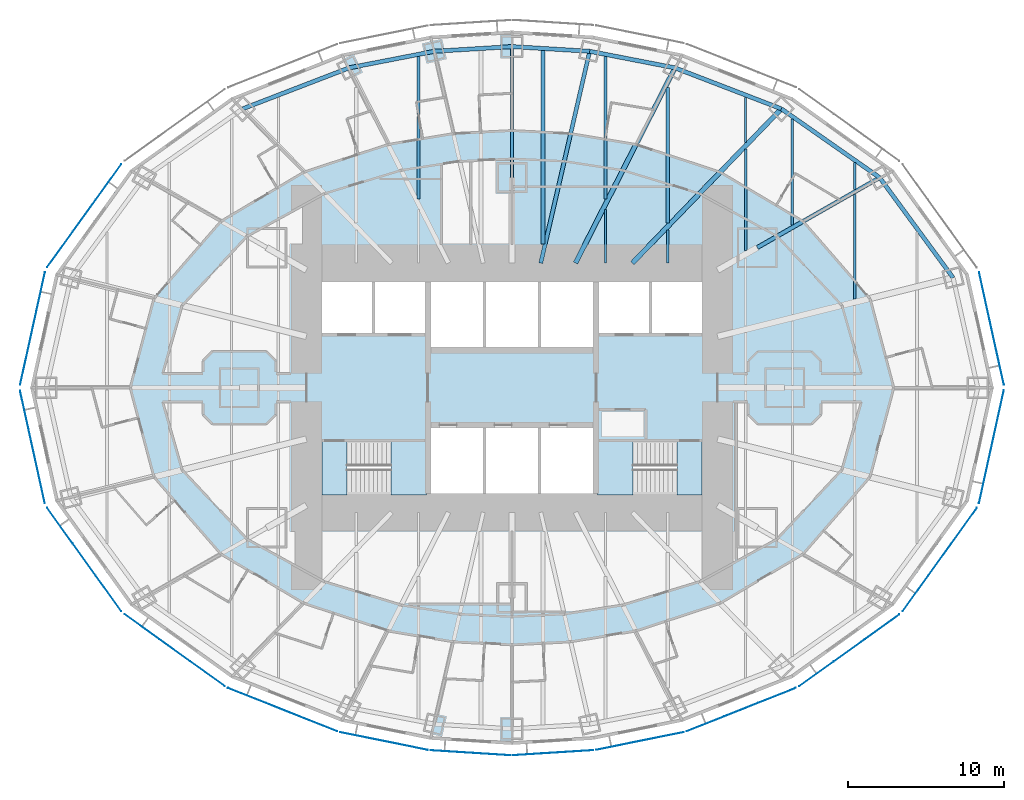
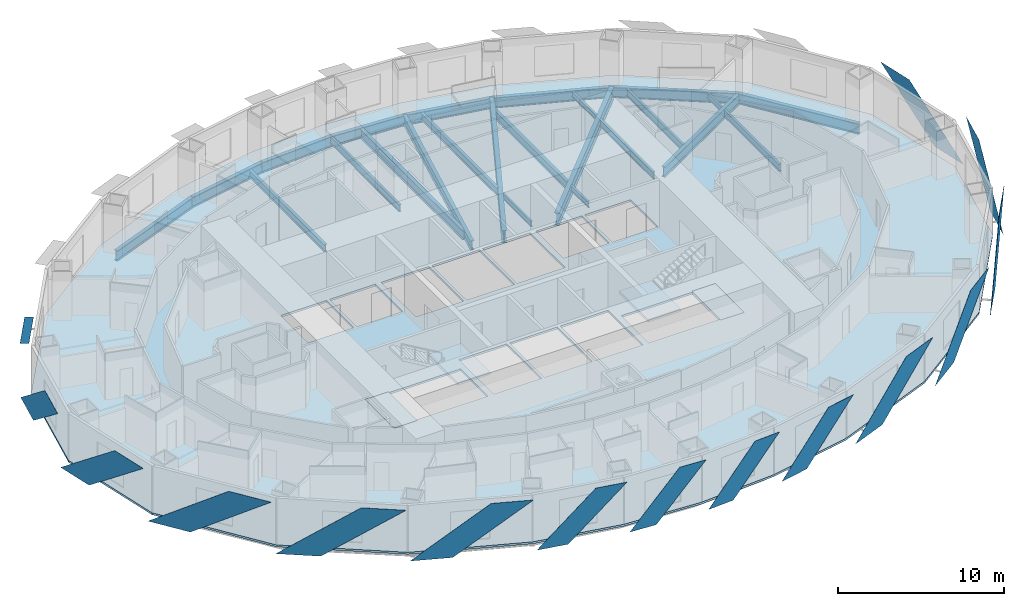
# One storey, part 3 of 15: 24 beams, 15 plates, 5 slabs, 2 elements without a shape of their own.
"""IFC4 building model written with IfcOpenShell, lengths in metres."""

from ifc_helpers import new_model, si_unit, direction, frame, origin, origin_2d, place, context, subcontext, project, spatial, polyline, i_section, outline, extrude, material, layer, layer_set, material_profile, profile_set, type_object, element, aggregate, save


model = new_model("IFC4")

# Units and contexts
model_context = context("Model", 3, precision=1e-05, world=origin(), true_north=direction((0.0, 1.0)))
body_context = subcontext(model_context, "Body", "Model", "MODEL_VIEW")
ifc_project = project(units=[si_unit("LENGTHUNIT", "METRE"), si_unit("AREAUNIT", "SQUARE_METRE"), si_unit("VOLUMEUNIT", "CUBIC_METRE"), si_unit("PLANEANGLEUNIT", "RADIAN"), si_unit("MASSUNIT", "GRAM", prefix="KILO")], contexts=[model_context])

# Site, building, storey
site_placement = place(None, origin())
site = spatial("IfcSite", under=ifc_project, at=site_placement, CompositionType="ELEMENT")
building_placement = place(site_placement, origin())
building = spatial("IfcBuilding", under=site, at=building_placement, Name="Lantaw Convention Tower", CompositionType="ELEMENT")
storey_placement = place(building_placement, frame((0.0, 0.0, 58.60009765625)))
storey = spatial("IfcBuildingStorey", under=building, at=storey_placement, Name="L12", CompositionType="ELEMENT", Elevation=58.60009765625)

# Beams
ifc_material_1 = material(Name="Steel ASTM A992", Category="steel")
ifc_material_profile_1 = material_profile(ifc_material_1, i_section(OverallWidth=0.2666015625, OverallDepth=0.76953125, WebThickness=0.015625, FlangeThickness=0.025390625, FilletRadius=0.0126953125, at=origin_2d()), Name="W30X132")
ifc_profile_set_1 = profile_set([ifc_material_profile_1], Name="Steel ASTM A992")
beam_type_1 = type_object("IfcBeamType", Name="Beam E W30X132", PredefinedType="SPANDREL", material=ifc_profile_set_1)
beam_1_placement = place(storey_placement, frame((28.31787109375, 7.060302734375, -0.534912109375), z_axis=(-0.591270709086, 0.806473154281, 0.0), x_axis=(-0.806473154281, -0.591270709086, 0.0)))
element("IfcBeam", 1, at=beam_1_placement, inside=storey, type_object=beam_type_1, Name="Edge beam 2", PredefinedType="SPANDREL", context=body_context, shape_type="SweptSolid", body=[
    extrude(i_section(OverallWidth=0.2666015625, OverallDepth=0.76953125, WebThickness=0.015625, FlangeThickness=0.025390625, FilletRadius=0.0126953125, at=origin_2d()), origin(), (0.0, 0.0, 1.0), 7.970703125),
])
beam_2_placement = place(storey_placement, frame((23.60498046875, 13.488525390625, -0.534912109375), z_axis=(-0.81942686407, 0.57318375277, 0.0), x_axis=(-0.57318375277, -0.81942686407, 0.0)))
element("IfcBeam", 2, at=beam_2_placement, inside=storey, type_object=beam_type_1, Name="Edge beam 3", PredefinedType="SPANDREL", context=body_context, shape_type="SweptSolid", body=[
    extrude(i_section(OverallWidth=0.2666015625, OverallDepth=0.76953125, WebThickness=0.015625, FlangeThickness=0.025390625, FilletRadius=0.0126953125, at=origin_2d()), origin(), (0.0, 0.0, 1.0), 7.70556640625),
])
beam_3_placement = place(storey_placement, frame((17.290771484375, 17.9052734375, -0.534912109375), z_axis=(-0.933232900641, 0.359271976588, 0.0), x_axis=(-0.359271976588, -0.933232900641, 0.0)))
element("IfcBeam", 3, at=beam_3_placement, inside=storey, type_object=beam_type_1, Name="Edge beam 4", PredefinedType="SPANDREL", context=body_context, shape_type="SweptSolid", body=[
    extrude(i_section(OverallWidth=0.2666015625, OverallDepth=0.76953125, WebThickness=0.015625, FlangeThickness=0.025390625, FilletRadius=0.0126953125, at=origin_2d()), origin(), (0.0, 0.0, 1.0), 7.316650390625),
])
beam_4_placement = place(storey_placement, frame((10.462646484375, 20.533935546875, -0.534912109375), z_axis=(-0.981636565323, 0.190760723474, 0.0), x_axis=(-0.190760723474, -0.981636565323, 0.0)))
element("IfcBeam", 4, at=beam_4_placement, inside=storey, type_object=beam_type_1, Name="Edge beam 5", PredefinedType="SPANDREL", context=body_context, shape_type="SweptSolid", body=[
    extrude(i_section(OverallWidth=0.2666015625, OverallDepth=0.76953125, WebThickness=0.015625, FlangeThickness=0.025390625, FilletRadius=0.0126953125, at=origin_2d()), origin(), (0.0, 0.0, 1.0), 5.578857421875),
])
for number, where, z_axis, x_axis, name in (
    (5, (4.986328125, 21.59814453125, -0.534912109375), (-0.998173858406, 0.060406526096, 0.0), (-0.060406526096, -0.998173858406, 0.0), "Edge beam 6"),
    (6, (0.0, 21.89990234375, -0.534912109375), (-0.998173858406, -0.060406526096, 0.0), (0.060406526096, -0.998173858406, 0.0), "Edge beam 7"),
):
    element("IfcBeam", number, at=place(storey_placement, frame(where, z_axis=z_axis, x_axis=x_axis)), inside=storey, type_object=beam_type_1, Name=name, PredefinedType="SPANDREL", context=body_context, shape_type="SweptSolid", body=[
        extrude(i_section(OverallWidth=0.2666015625, OverallDepth=0.76953125, WebThickness=0.015625, FlangeThickness=0.025390625, FilletRadius=0.0126953125, at=origin_2d()), origin(), (0.0, 0.0, 1.0), 4.995361328125),
    ])
beam_5_placement = place(storey_placement, frame((-4.986328125, 21.59814453125, -0.534912109375), z_axis=(-0.981636565323, -0.190760723474, 0.0), x_axis=(0.190760723474, -0.981636565323, 0.0)))
element("IfcBeam", 7, at=beam_5_placement, inside=storey, type_object=beam_type_1, Name="Edge beam 8", PredefinedType="SPANDREL", context=body_context, shape_type="SweptSolid", body=[
    extrude(i_section(OverallWidth=0.2666015625, OverallDepth=0.76953125, WebThickness=0.015625, FlangeThickness=0.025390625, FilletRadius=0.0126953125, at=origin_2d()), origin(), (0.0, 0.0, 1.0), 5.578857421875),
])
beam_6_placement = place(storey_placement, frame((-10.462646484375, 20.533935546875, -0.534912109375), z_axis=(-0.933232900641, -0.359271976588, 0.0), x_axis=(0.359271976588, -0.933232900641, 0.0)))
element("IfcBeam", 8, at=beam_6_placement, inside=storey, type_object=beam_type_1, Name="Edge beam 9", PredefinedType="SPANDREL", context=body_context, shape_type="SweptSolid", body=[
    extrude(i_section(OverallWidth=0.2666015625, OverallDepth=0.76953125, WebThickness=0.015625, FlangeThickness=0.025390625, FilletRadius=0.0126953125, at=origin_2d()), origin(), (0.0, 0.0, 1.0), 7.316650390625),
])
ifc_material_profile_2 = material_profile(ifc_material_1, i_section(OverallWidth=0.1650390625, OverallDepth=0.52587890625, WebThickness=0.0087890625, FlangeThickness=0.011474609375, FilletRadius=0.0126953125, at=origin_2d()), Name="W21X44")
ifc_profile_set_2 = profile_set([ifc_material_profile_2], Name="Steel ASTM A992")
beam_type_2 = type_object("IfcBeamType", Name="Beam G W21X44", PredefinedType="BEAM", material=ifc_profile_set_2)
beam_7_placement = place(storey_placement, frame((0.0, 13.5, -0.4130859375), z_axis=(0.0, 1.0, 0.0), x_axis=(-1.0, 0.0, 0.0)))
element("IfcBeam", 9, at=beam_7_placement, inside=storey, type_object=beam_type_2, Name="Floor girder on ray 7", PredefinedType="BEAM", context=body_context, shape_type="SweptSolid", body=[
    extrude(i_section(OverallWidth=0.1650390625, OverallDepth=0.52587890625, WebThickness=0.0087890625, FlangeThickness=0.011474609375, FilletRadius=0.0126953125, at=origin_2d()), origin(), (0.0, 0.0, 1.0), 8.39990234375),
])
ifc_material_profile_3 = material_profile(ifc_material_1, i_section(OverallWidth=0.25390625, OverallDepth=0.683349609375, WebThickness=0.012451171875, FlangeThickness=0.01904296875, FilletRadius=0.01513671875, at=origin_2d()), Name="W27X94")
ifc_profile_set_3 = profile_set([ifc_material_profile_3], Name="Steel ASTM A992")
beam_type_3 = type_object("IfcBeamType", Name="Beam G W27X94", PredefinedType="BEAM", material=ifc_profile_set_3)
beam_8_placement = place(storey_placement, frame((1.846923828125, 8.0, -0.49169921875), z_axis=(0.224952773175, 0.97436966796, 0.0), x_axis=(-0.97436966796, 0.224952773175, 0.0)))
element("IfcBeam", 10, at=beam_8_placement, inside=storey, type_object=beam_type_3, Name="Floor girder on ray 6", PredefinedType="BEAM", context=body_context, shape_type="SweptSolid", body=[
    extrude(i_section(OverallWidth=0.25390625, OverallDepth=0.683349609375, WebThickness=0.012451171875, FlangeThickness=0.01904296875, FilletRadius=0.01513671875, at=origin_2d()), origin(), (0.0, 0.0, 1.0), 13.955810546875),
])
ifc_material_profile_4 = material_profile(ifc_material_1, i_section(OverallWidth=0.2666015625, OverallDepth=0.7568359375, WebThickness=0.013916015625, FlangeThickness=0.019287109375, FilletRadius=0.0126953125, at=origin_2d()), Name="W30X108")
ifc_profile_set_4 = profile_set([ifc_material_profile_4], Name="Steel ASTM A992")
beam_type_4 = type_object("IfcBeamType", Name="Beam G W30X108", PredefinedType="BEAM", material=ifc_profile_set_4)
beam_9_placement = place(storey_placement, frame((15.75, 9.0, -0.528564453125), z_axis=(0.868244802791, 0.496136032179, 0.0), x_axis=(-0.496136032179, 0.868244802791, 0.0)))
element("IfcBeam", 11, at=beam_9_placement, inside=storey, type_object=beam_type_4, Name="Floor girder on ray 3", PredefinedType="BEAM", context=body_context, shape_type="SweptSolid", body=[
    extrude(i_section(OverallWidth=0.2666015625, OverallDepth=0.7568359375, WebThickness=0.013916015625, FlangeThickness=0.019287109375, FilletRadius=0.0126953125, at=origin_2d()), origin(), (0.0, 0.0, 1.0), 9.046875),
])
ifc_material_profile_5 = material_profile(ifc_material_1, i_section(OverallWidth=0.307373046875, OverallDepth=0.922119140625, WebThickness=0.018310546875, FlangeThickness=0.030029296875, FilletRadius=0.0126953125, at=origin_2d()), Name="W36X182")
ifc_profile_set_5 = profile_set([ifc_material_profile_5], Name="Steel ASTM A992")
beam_type_5 = type_object("IfcBeamType", Name="Beam G W36X182", PredefinedType="BEAM", material=ifc_profile_set_5)
beam_10_placement = place(storey_placement, frame((7.7255859375, 8.0, -0.611083984375), z_axis=(0.694649884291, 0.719347995239, 0.0), x_axis=(-0.719347995239, 0.694649884291, 0.0)))
element("IfcBeam", 12, at=beam_10_placement, inside=storey, type_object=beam_type_5, Name="Floor girder on ray 4", PredefinedType="BEAM", context=body_context, shape_type="SweptSolid", body=[
    extrude(i_section(OverallWidth=0.307373046875, OverallDepth=0.922119140625, WebThickness=0.018310546875, FlangeThickness=0.030029296875, FilletRadius=0.0126953125, at=origin_2d()), origin(), (0.0, 0.0, 1.0), 13.769775390625),
])
beam_11_placement = place(storey_placement, frame((4.076171875, 8.0, -0.611083984375), z_axis=(0.453997016122, 0.891003203896, 0.0), x_axis=(-0.891003203896, 0.453997016122, 0.0)))
element("IfcBeam", 13, at=beam_11_placement, inside=storey, type_object=beam_type_5, Name="Floor girder on ray 5", PredefinedType="BEAM", context=body_context, shape_type="SweptSolid", body=[
    extrude(i_section(OverallWidth=0.307373046875, OverallDepth=0.922119140625, WebThickness=0.018310546875, FlangeThickness=0.030029296875, FilletRadius=0.0126953125, at=origin_2d()), origin(), (0.0, 0.0, 1.0), 14.067138671875),
])
ifc_material_profile_6 = material_profile(ifc_material_1, i_section(OverallWidth=0.140380859375, OverallDepth=0.40380859375, WebThickness=0.007080078125, FlangeThickness=0.01123046875, FilletRadius=0.01025390625, at=origin_2d()), Name="W16X31")
ifc_profile_set_6 = profile_set([ifc_material_profile_6], Name="Steel ASTM A992")
beam_type_6 = type_object("IfcBeamType", Name="Beam J W16X31", PredefinedType="JOIST", material=ifc_profile_set_6)
beam_12_placement = place(storey_placement, frame((6.0, 8.0, -0.35205078125), z_axis=(0.0, 1.0, 0.0), x_axis=(-1.0, 0.0, 0.0)))
element("IfcBeam", 14, at=beam_12_placement, inside=storey, type_object=beam_type_6, Name="Floor joist", PredefinedType="JOIST", context=body_context, shape_type="SweptSolid", body=[
    extrude(i_section(OverallWidth=0.140380859375, OverallDepth=0.40380859375, WebThickness=0.007080078125, FlangeThickness=0.01123046875, FilletRadius=0.01025390625, at=origin_2d()), origin(), (0.0, 0.0, 1.0), 3.437255859375),
])
beam_13_placement = place(storey_placement, frame((10.0, 8.0, -0.35205078125), z_axis=(0.0, 1.0, 0.0), x_axis=(-1.0, 0.0, 0.0)))
element("IfcBeam", 15, at=beam_13_placement, inside=storey, type_object=beam_type_6, Name="Floor joist", PredefinedType="JOIST", context=body_context, shape_type="SweptSolid", body=[
    extrude(i_section(OverallWidth=0.140380859375, OverallDepth=0.40380859375, WebThickness=0.007080078125, FlangeThickness=0.01123046875, FilletRadius=0.01025390625, at=origin_2d()), origin(), (0.0, 0.0, 1.0), 2.134033203125),
])
beam_14_placement = place(storey_placement, frame((15.0, 15.754150390625, -0.35205078125), z_axis=(0.0, 1.0, 0.0), x_axis=(-1.0, 0.0, 0.0)))
element("IfcBeam", 16, at=beam_14_placement, inside=storey, type_object=beam_type_6, Name="Floor joist", PredefinedType="JOIST", context=body_context, shape_type="SweptSolid", body=[
    extrude(i_section(OverallWidth=0.140380859375, OverallDepth=0.40380859375, WebThickness=0.007080078125, FlangeThickness=0.01123046875, FilletRadius=0.01025390625, at=origin_2d()), origin(), (0.0, 0.0, 1.0), 2.89013671875),
])
beam_15_placement = place(storey_placement, frame((22.0, 12.72509765625, -0.35205078125), z_axis=(0.0, 1.0, 0.0), x_axis=(-1.0, 0.0, 0.0)))
element("IfcBeam", 17, at=beam_15_placement, inside=storey, type_object=beam_type_6, Name="Floor joist", PredefinedType="JOIST", context=body_context, shape_type="SweptSolid", body=[
    extrude(i_section(OverallWidth=0.140380859375, OverallDepth=0.40380859375, WebThickness=0.007080078125, FlangeThickness=0.01123046875, FilletRadius=0.01025390625, at=origin_2d()), origin(), (0.0, 0.0, 1.0), 1.723388671875),
])
ifc_material_profile_7 = material_profile(ifc_material_1, i_section(OverallWidth=0.1650390625, OverallDepth=0.52587890625, WebThickness=0.0087890625, FlangeThickness=0.011474609375, FilletRadius=0.0126953125, at=origin_2d()), Name="W21X44")
ifc_profile_set_7 = profile_set([ifc_material_profile_7], Name="Steel ASTM A992")
beam_type_7 = type_object("IfcBeamType", Name="Beam J W21X44", PredefinedType="JOIST", material=ifc_profile_set_7)
beam_16_placement = place(storey_placement, frame((15.0, 8.803955078125, -0.4130859375), z_axis=(0.0, 1.0, 0.0), x_axis=(-1.0, 0.0, 0.0)))
element("IfcBeam", 18, at=beam_16_placement, inside=storey, type_object=beam_type_7, Name="Floor joist", PredefinedType="JOIST", context=body_context, shape_type="SweptSolid", body=[
    extrude(i_section(OverallWidth=0.1650390625, OverallDepth=0.52587890625, WebThickness=0.0087890625, FlangeThickness=0.011474609375, FilletRadius=0.0126953125, at=origin_2d()), origin(), (0.0, 0.0, 1.0), 6.5078125),
])
beam_17_placement = place(storey_placement, frame((18.0, 10.439208984375, -0.4130859375), z_axis=(0.0, 1.0, 0.0), x_axis=(-1.0, 0.0, 0.0)))
element("IfcBeam", 19, at=beam_17_placement, inside=storey, type_object=beam_type_7, Name="Floor joist", PredefinedType="JOIST", context=body_context, shape_type="SweptSolid", body=[
    extrude(i_section(OverallWidth=0.1650390625, OverallDepth=0.52587890625, WebThickness=0.0087890625, FlangeThickness=0.011474609375, FilletRadius=0.0126953125, at=origin_2d()), origin(), (0.0, 0.0, 1.0), 6.80712890625),
])
beam_18_placement = place(storey_placement, frame((22.0, 5.693359375, -0.4130859375), z_axis=(0.0, 1.0, 0.0), x_axis=(-1.0, 0.0, 0.0)))
element("IfcBeam", 20, at=beam_18_placement, inside=storey, type_object=beam_type_7, Name="Floor joist", PredefinedType="JOIST", context=body_context, shape_type="SweptSolid", body=[
    extrude(i_section(OverallWidth=0.1650390625, OverallDepth=0.52587890625, WebThickness=0.0087890625, FlangeThickness=0.011474609375, FilletRadius=0.0126953125, at=origin_2d()), origin(), (0.0, 0.0, 1.0), 6.724609375),
])
ifc_material_profile_8 = material_profile(ifc_material_1, i_section(OverallWidth=0.2099609375, OverallDepth=0.535888671875, WebThickness=0.010986328125, FlangeThickness=0.017333984375, FilletRadius=0.012939453125, at=origin_2d()), Name="W21X68")
ifc_profile_set_8 = profile_set([ifc_material_profile_8], Name="Steel ASTM A992")
beam_type_8 = type_object("IfcBeamType", Name="Beam J W21X68", PredefinedType="JOIST", material=ifc_profile_set_8)
for number, where, z_axis, x_axis, name in (
    (21, (-6.0, 12.1142578125, -0.41796875), (0.0, 1.0, 0.0), (-1.0, 0.0, 0.0), "Floor joist"),
    (22, (6.0, 12.1142578125, -0.41796875), (0.0, 1.0, 0.0), (-1.0, 0.0, 0.0), "Floor joist"),
):
    element("IfcBeam", number, at=place(storey_placement, frame(where, z_axis=z_axis, x_axis=x_axis)), inside=storey, type_object=beam_type_8, Name=name, PredefinedType="JOIST", context=body_context, shape_type="SweptSolid", body=[
        extrude(i_section(OverallWidth=0.2099609375, OverallDepth=0.535888671875, WebThickness=0.010986328125, FlangeThickness=0.017333984375, FilletRadius=0.012939453125, at=origin_2d()), origin(), (0.0, 0.0, 1.0), 9.15087890625),
    ])
ifc_material_profile_9 = material_profile(ifc_material_1, i_section(OverallWidth=0.227783203125, OverallDepth=0.60205078125, WebThickness=0.010498046875, FlangeThickness=0.014892578125, FilletRadius=0.012939453125, at=origin_2d()), Name="W24X68")
ifc_profile_set_9 = profile_set([ifc_material_profile_9], Name="Steel ASTM A992")
beam_type_9 = type_object("IfcBeamType", Name="Beam J W24X68", PredefinedType="JOIST", material=ifc_profile_set_9)
beam_19_placement = place(storey_placement, frame((10.0, 10.576416015625, -0.451171875), z_axis=(0.0, 1.0, 0.0), x_axis=(-1.0, 0.0, 0.0)))
element("IfcBeam", 23, at=beam_19_placement, inside=storey, type_object=beam_type_9, Name="Floor joist", PredefinedType="JOIST", context=body_context, shape_type="SweptSolid", body=[
    extrude(i_section(OverallWidth=0.227783203125, OverallDepth=0.60205078125, WebThickness=0.010498046875, FlangeThickness=0.014892578125, FilletRadius=0.012939453125, at=origin_2d()), origin(), (0.0, 0.0, 1.0), 8.711181640625),
])
ifc_material_profile_10 = material_profile(ifc_material_1, i_section(OverallWidth=0.25390625, OverallDepth=0.700927734375, WebThickness=0.015380859375, FlangeThickness=0.02783203125, FilletRadius=0.01513671875, at=origin_2d()), Name="W27X129")
ifc_profile_set_10 = profile_set([ifc_material_profile_10], Name="Steel ASTM A992")
beam_type_10 = type_object("IfcBeamType", Name="Beam J W27X129", PredefinedType="JOIST", material=ifc_profile_set_10)
beam_20_placement = place(storey_placement, frame((2.0, 9.2275390625, -0.500732421875), z_axis=(0.0, 1.0, 0.0), x_axis=(-1.0, 0.0, 0.0)))
element("IfcBeam", 24, at=beam_20_placement, inside=storey, type_object=beam_type_10, Name="Floor joist", PredefinedType="JOIST", context=body_context, shape_type="SweptSolid", body=[
    extrude(i_section(OverallWidth=0.25390625, OverallDepth=0.700927734375, WebThickness=0.015380859375, FlangeThickness=0.02783203125, FilletRadius=0.01513671875, at=origin_2d()), origin(), (0.0, 0.0, 1.0), 12.417724609375),
])

# Slab
ifc_material_2 = material(Name="Concrete C35/45", Category="concrete")
ifc_layer_1 = layer(ifc_material_2, 0.14990234375)
ifc_layer_set_1 = layer_set([ifc_layer_1], Name="Floor slab 150")
slab_type_1 = type_object("IfcSlabType", Name="Floor slab 150", PredefinedType="FLOOR", material=ifc_layer_set_1)
slab_1_placement = place(storey_placement, frame((0.0, 0.0, -0.150146484375)))
element("IfcSlab", 25, at=slab_1_placement, inside=storey, type_object=slab_type_1, Name="L12 floor slab", PredefinedType="FLOOR", context=body_context, shape_type="SweptSolid", body=[
    extrude(outline(polyline([(29.315185546875, -7.29541015625), (30.923095703125, 0.0), (29.315185546875, 7.29541015625), (24.50634765625, 13.98046875), (18.018798828125, 18.630126953125), (10.9404296875, 21.44189453125), (5.223876953125, 22.59521484375), (0.0, 22.9248046875), (-5.223876953125, 22.59521484375), (-10.9404296875, 21.44189453125), (-18.018798828125, 18.630126953125), (-24.50634765625, 13.98046875), (-29.315185546875, 7.29541015625), (-30.923095703125, 0.0), (-29.315185546875, -7.29541015625), (-24.50634765625, -13.98046875), (-18.018798828125, -18.630126953125), (-10.9404296875, -21.44189453125), (-5.223876953125, -22.59521484375), (0.0, -22.9248046875), (5.223876953125, -22.59521484375), (10.9404296875, -21.44189453125), (18.018798828125, -18.630126953125), (24.50634765625, -13.98046875), (29.315185546875, -7.29541015625)]), holes=[polyline([(-5.60009765625, -3.5), (-12.199951171875, -3.5), (-12.199951171875, -6.800048828125), (-5.60009765625, -6.800048828125), (-5.60009765625, -3.5)]), polyline([(-1.86669921875, -6.800048828125), (-1.86669921875, -2.60009765625), (-5.199951171875, -2.60009765625), (-5.199951171875, -6.800048828125), (-1.86669921875, -6.800048828125)]), polyline([(-1.86669921875, 2.60009765625), (-1.86669921875, 6.800048828125), (-5.199951171875, 6.800048828125), (-5.199951171875, 2.60009765625), (-1.86669921875, 2.60009765625)]), polyline([(1.666748046875, 6.800048828125), (-1.666748046875, 6.800048828125), (-1.666748046875, 2.60009765625), (1.666748046875, 2.60009765625), (1.666748046875, 6.800048828125)]), polyline([(-9.0, 3.5), (-9.0, 6.800048828125), (-12.199951171875, 6.800048828125), (-12.199951171875, 3.5), (-9.0, 3.5)]), polyline([(-5.60009765625, 3.5), (-5.60009765625, 6.800048828125), (-8.800048828125, 6.800048828125), (-8.800048828125, 3.5), (-5.60009765625, 3.5)]), polyline([(12.199951171875, -3.5), (5.60009765625, -3.5), (5.60009765625, -6.800048828125), (12.199951171875, -6.800048828125), (12.199951171875, -3.5)]), polyline([(1.666748046875, -6.800048828125), (1.666748046875, -2.60009765625), (-1.666748046875, -2.60009765625), (-1.666748046875, -6.800048828125), (1.666748046875, -6.800048828125)]), polyline([(5.199951171875, -6.800048828125), (5.199951171875, -2.60009765625), (1.86669921875, -2.60009765625), (1.86669921875, -6.800048828125), (5.199951171875, -6.800048828125)]), polyline([(5.199951171875, 6.800048828125), (1.86669921875, 6.800048828125), (1.86669921875, 2.60009765625), (5.199951171875, 2.60009765625), (5.199951171875, 6.800048828125)]), polyline([(8.800048828125, 3.5), (8.800048828125, 6.800048828125), (5.60009765625, 6.800048828125), (5.60009765625, 3.5), (8.800048828125, 3.5)]), polyline([(12.199951171875, 3.5), (12.199951171875, 6.800048828125), (9.0, 6.800048828125), (9.0, 3.5), (12.199951171875, 3.5)])]), origin(), (0.0, 0.0, 1.0), 0.150146484375),
])

# Plates
ifc_material_3 = material(Name="Perforated aluminium sheet, pale silver finish", Category="aluminium")
ifc_layer_2 = layer(ifc_material_3, 0.006103515625)
ifc_layer_set_2 = layer_set([ifc_layer_2], Name="Perforated aluminium solar SCREEN panel")
plate_type = type_object("IfcPlateType", Name="Perforated aluminium solar SCREEN panel", PredefinedType="SHEET", material=ifc_layer_set_2)
plate_1_placement = place(storey_placement, frame((31.5810546875, 0.17919921875, -0.175048828125), z_axis=(-0.97655943558, -0.215247921852, 3.0295023e-05), x_axis=(-0.215247921951, 0.976559436028, 3.12e-10)))
element("IfcPlate", 26, at=plate_1_placement, inside=storey, type_object=plate_type, Name="Solar SCREEN panel", PredefinedType="SHEET", context=body_context, shape_type="SweptSolid", body=[
    extrude(outline(polyline([(0.0, 0.0), (2.551002212329069, 3.3881317890172014e-21), (7.402498252985418, -3.739990233781388), (4.851734458487411, -3.7399902353733405), (0.0, 0.0)])), origin(), (0.0, 0.0, -1.0), 0.006103515625),
])
plate_2_placement = place(storey_placement, frame((-25.0810546875, 14.34765625, -0.175048828125), z_axis=(0.811791382613, -0.583947558463, 9.019268e-06), x_axis=(-0.583947558486, -0.811791382646, 0.0)))
element("IfcPlate", 27, at=plate_2_placement, inside=storey, type_object=plate_type, Name="Solar SCREEN panel", PredefinedType="SHEET", context=body_context, shape_type="SweptSolid", body=[
    extrude(outline(polyline([(0.0, 0.0), (2.809541672291133, 0.0), (8.163093158837512, -3.739990234527119), (5.353551486546379, -3.739990234527119), (0.0, 0.0)])), origin(), (0.0, 0.0, -1.0), 0.006103515625),
])
plate_3_placement = place(storey_placement, frame((-29.98779296875, 7.408203125, -0.175048828125), z_axis=(-0.97655943558, 0.215247921852, 3.0295023e-05), x_axis=(-0.215247921951, -0.976559436028, -3.12e-10)))
element("IfcPlate", 28, at=plate_3_placement, inside=storey, type_object=plate_type, Name="Solar SCREEN panel", PredefinedType="SHEET", context=body_context, shape_type="SweptSolid", body=[
    extrude(outline(polyline([(0.0, 0.0), (2.5507637944980077, 6.776263578034403e-21), (7.402498250651261, 3.7399902384013473), (4.851496038322192, 3.739990236809246), (0.0, 0.0)])), origin(), (0.0, 0.0, -1.0), 0.006103515625),
])
plate_4_placement = place(storey_placement, frame((-31.5810546875, -0.17919921875, -0.175048828125), z_axis=(0.97655943558, 0.215247921852, 3.0295023e-05), x_axis=(0.215247921951, -0.976559436028, 3.12e-10)))
element("IfcPlate", 29, at=plate_4_placement, inside=storey, type_object=plate_type, Name="Solar SCREEN panel", PredefinedType="SHEET", context=body_context, shape_type="SweptSolid", body=[
    extrude(outline(polyline([(0.0, 0.0), (2.551002212329069, 3.3881317890172014e-21), (7.402498252985418, -3.739990233781388), (4.851734458487411, -3.7399902353733405), (0.0, 0.0)])), origin(), (0.0, 0.0, -1.0), 0.006103515625),
])
plate_5_placement = place(storey_placement, frame((-29.847900390625, -7.720947265625, -0.175048828125), z_axis=(-0.811791382613, -0.583947558463, 9.019268e-06), x_axis=(0.583947558486, -0.811791382646, 0.0)))
element("IfcPlate", 30, at=plate_5_placement, inside=storey, type_object=plate_type, Name="Solar SCREEN panel", PredefinedType="SHEET", context=body_context, shape_type="SweptSolid", body=[
    extrude(outline(polyline([(0.0, 0.0), (2.809541672291133, 0.0), (8.163093158837512, 3.739990234527119), (5.353551486546379, 3.739990234527119), (0.0, 0.0)])), origin(), (0.0, 0.0, -1.0), 0.006103515625),
])
plate_6_placement = place(storey_placement, frame((-24.872314453125, -14.555908203125, -0.175048828125), z_axis=(-0.582561421998, -0.812786681331, 1.5819417e-05), x_axis=(0.812786681433, -0.582561422071, 0.0)))
element("IfcPlate", 31, at=plate_6_placement, inside=storey, type_object=plate_type, Name="Solar SCREEN panel", PredefinedType="SHEET", context=body_context, shape_type="SweptSolid", body=[
    extrude(outline(polyline([(0.0, 0.0), (2.721095180812288, 3.3881317890172014e-21), (7.903118572410756, 3.739990234842974), (5.182023391598468, 3.739990234842974), (0.0, 0.0)])), origin(), (0.0, 0.0, -1.0), 0.006103515625),
])
plate_7_placement = place(storey_placement, frame((-18.232177734375, -19.278076171875, -0.175048828125), z_axis=(0.369183532846, 0.929356508016, 9.163296e-06), x_axis=(0.929356508055, -0.369183532862, 0.0)))
element("IfcPlate", 32, at=plate_7_placement, inside=storey, type_object=plate_type, Name="Solar SCREEN panel", PredefinedType="SHEET", context=body_context, shape_type="SweptSolid", body=[
    extrude(outline(polyline([(0.0, 0.0), (2.594936467166582, -1.6940658945086007e-21), (7.5321069917580825, -3.739990234532016), (4.937170524591499, -3.739990234532016), (0.0, 0.0)])), origin(), (0.0, 0.0, -1.0), 0.006103515625),
])
plate_8_placement = place(storey_placement, frame((-11.03271484375, -22.117919921875, -0.175048828125), z_axis=(0.197781876197, 0.980246055561, 2.418535e-06), x_axis=(0.980246055563, -0.197781876198, 1.46e-10)))
element("IfcPlate", 33, at=plate_8_placement, inside=storey, type_object=plate_type, Name="Solar SCREEN panel", PredefinedType="SHEET", context=body_context, shape_type="SweptSolid", body=[
    extrude(outline(polyline([(0.0, 0.0), (1.9867801772236329, -3.1763735522036263e-22), (5.743587245978565, -3.7399902335493134), (3.7568553553458006, -3.739990234128105), (0.0, 0.0)])), origin(), (0.0, 0.0, -1.0), 0.006103515625),
])
plate_9_placement = place(storey_placement, frame((-5.221923828125, -23.27783203125, -0.175048828125), z_axis=(0.062923905251, 0.998018327468, 1.3605496e-05), x_axis=(0.998018327561, -0.062923905257, 9.3e-10)))
element("IfcPlate", 34, at=plate_9_placement, inside=storey, type_object=plate_type, Name="Solar SCREEN panel", PredefinedType="SHEET", context=body_context, shape_type="SweptSolid", body=[
    extrude(outline(polyline([(0.0, 0.0), (1.7828375409377817, -2.117582368135751e-22), (5.143985963027618, -3.739990229938699), (3.3611637843713935, -3.7399902332537565), (0.0, 0.0)])), origin(), (0.0, 0.0, -1.0), 0.006103515625),
])
plate_10_placement = place(storey_placement, frame((0.088134765625, -23.6015625, -0.175048828125), z_axis=(0.062923905251, -0.998018327468, 1.3605496e-05), x_axis=(0.998018327561, 0.062923905257, -9.3e-10)))
element("IfcPlate", 35, at=plate_10_placement, inside=storey, type_object=plate_type, Name="Solar SCREEN panel", PredefinedType="SHEET", context=body_context, shape_type="SweptSolid", body=[
    extrude(outline(polyline([(0.0, 0.0), (1.782822178656225, -2.117582368135751e-22), (5.143985956073316, 3.7399902395036517), (3.3611484151355353, 3.7399902361885653), (0.0, 0.0)])), origin(), (0.0, 0.0, -1.0), 0.006103515625),
])
plate_11_placement = place(storey_placement, frame((5.402587890625, -23.25390625, -0.175048828125), z_axis=(0.197781876197, -0.980246055561, 2.418535e-06), x_axis=(0.980246055563, 0.197781876198, -1.46e-10)))
element("IfcPlate", 36, at=plate_11_placement, inside=storey, type_object=plate_type, Name="Solar SCREEN panel", PredefinedType="SHEET", context=body_context, shape_type="SweptSolid", body=[
    extrude(outline(polyline([(0.0, 0.0), (1.9867318906327642, 1.0587911840678754e-22), (5.743587244888999, 3.7399902352225842), (3.7568070676653664, 3.7399902346437783), (0.0, 0.0)])), origin(), (0.0, 0.0, -1.0), 0.006103515625),
])
plate_12_placement = place(storey_placement, frame((11.232177734375, -22.058837890625, -0.175048828125), z_axis=(0.369183532846, -0.929356508016, 9.163296e-06), x_axis=(0.929356508055, 0.369183532862, 0.0)))
element("IfcPlate", 37, at=plate_12_placement, inside=storey, type_object=plate_type, Name="Solar SCREEN panel", PredefinedType="SHEET", context=body_context, shape_type="SweptSolid", body=[
    extrude(outline(polyline([(0.0, 0.0), (2.594936467166582, 1.6940658945086007e-21), (7.5321069917580825, 3.739990234532016), (4.937170524591499, 3.739990234532016), (0.0, 0.0)])), origin(), (0.0, 0.0, -1.0), 0.006103515625),
])
plate_13_placement = place(storey_placement, frame((18.44873046875, -19.159912109375, -0.175048828125), z_axis=(-0.582561421998, 0.812786681331, 1.5819417e-05), x_axis=(0.812786681433, 0.582561422071, 0.0)))
element("IfcPlate", 38, at=plate_13_placement, inside=storey, type_object=plate_type, Name="Solar SCREEN panel", PredefinedType="SHEET", context=body_context, shape_type="SweptSolid", body=[
    extrude(outline(polyline([(0.0, 0.0), (2.721095180812288, -3.3881317890172014e-21), (7.903118572410756, -3.739990234842974), (5.182023391598468, -3.739990234842974), (0.0, 0.0)])), origin(), (0.0, 0.0, -1.0), 0.006103515625),
])
plate_14_placement = place(storey_placement, frame((25.0810546875, -14.34765625, -0.175048828125), z_axis=(-0.811791382613, 0.583947558463, 9.019268e-06), x_axis=(0.583947558486, 0.811791382646, 0.0)))
element("IfcPlate", 39, at=plate_14_placement, inside=storey, type_object=plate_type, Name="Solar SCREEN panel", PredefinedType="SHEET", context=body_context, shape_type="SweptSolid", body=[
    extrude(outline(polyline([(0.0, 0.0), (2.809541672291133, 0.0), (8.163093158837512, -3.739990234527119), (5.353551486546379, -3.739990234527119), (0.0, 0.0)])), origin(), (0.0, 0.0, -1.0), 0.006103515625),
])
plate_15_placement = place(storey_placement, frame((29.98779296875, -7.408203125, -0.175048828125), z_axis=(0.97655943558, -0.215247921852, 3.0295023e-05), x_axis=(0.215247921951, 0.976559436028, -3.12e-10)))
element("IfcPlate", 40, at=plate_15_placement, inside=storey, type_object=plate_type, Name="Solar SCREEN panel", PredefinedType="SHEET", context=body_context, shape_type="SweptSolid", body=[
    extrude(outline(polyline([(0.0, 0.0), (2.5507637944980077, 6.776263578034403e-21), (7.402498250651261, 3.7399902384013473), (4.851496038322192, 3.739990236809246), (0.0, 0.0)])), origin(), (0.0, 0.0, -1.0), 0.006103515625),
])

# Stair, slabs
stair_type = type_object("IfcStairType", Name="Exit stair 1500 riser 163.64 in 2 flights", PredefinedType="HALF_TURN_STAIR", material=ifc_material_2)
stair_1_placement = place(storey_placement, origin())
stair_1 = element("IfcStair", 41, at=stair_1_placement, inside=storey, type_object=stair_type, Name="Exit stair S1 L12", PredefinedType="HALF_TURN_STAIR")
ifc_layer_3 = layer(ifc_material_2, 0.199951171875)
ifc_layer_set_3 = layer_set([ifc_layer_3], Name="Stair landing 200")
slab_type_2 = type_object("IfcSlabType", Name="Stair landing 200", PredefinedType="LANDING", material=ifc_layer_set_3)
slab_2_placement = place(storey_placement, frame((0.0, 0.0, -0.2001953125)))
slab_2 = element("IfcSlab", 42, at=slab_2_placement, type_object=slab_type_2, Name="S1 landing 1", PredefinedType="LANDING", context=body_context, shape_type="SweptSolid", body=[
    extrude(outline(polyline([(-12.199951171875, -6.89990234375), (-10.580078125, -6.89990234375), (-10.580078125, -3.39990234375), (-12.199951171875, -3.39990234375), (-12.199951171875, -6.89990234375)])), origin(), (0.0, 0.0, 1.0), 0.2001953125),
])
slab_3_placement = place(storey_placement, frame((0.0, 0.0, 1.599853515625)))
slab_3 = element("IfcSlab", 43, at=slab_3_placement, type_object=slab_type_2, Name="S1 landing 2", PredefinedType="LANDING", context=body_context, shape_type="SweptSolid", body=[
    extrude(outline(polyline([(-7.780029296875, -6.89990234375), (-5.5, -6.89990234375), (-5.5, -3.39990234375), (-7.780029296875, -3.39990234375), (-7.780029296875, -6.89990234375)])), origin(), (0.0, 0.0, 1.0), 0.199951171875),
])
aggregate(stair_1, [slab_2, slab_3])

stair_2_placement = place(storey_placement, origin())
stair_2 = element("IfcStair", 44, at=stair_2_placement, inside=storey, type_object=stair_type, Name="Exit stair S2 L12", PredefinedType="HALF_TURN_STAIR")
slab_4_placement = place(storey_placement, frame((0.0, 0.0, -0.2001953125)))
slab_4 = element("IfcSlab", 45, at=slab_4_placement, type_object=slab_type_2, Name="S2 landing 1", PredefinedType="LANDING", context=body_context, shape_type="SweptSolid", body=[
    extrude(outline(polyline([(10.580078125, -6.89990234375), (12.199951171875, -6.89990234375), (12.199951171875, -3.39990234375), (10.580078125, -3.39990234375), (10.580078125, -6.89990234375)])), origin(), (0.0, 0.0, 1.0), 0.2001953125),
])
slab_5_placement = place(storey_placement, frame((0.0, 0.0, 1.599853515625)))
slab_5 = element("IfcSlab", 46, at=slab_5_placement, type_object=slab_type_2, Name="S2 landing 2", PredefinedType="LANDING", context=body_context, shape_type="SweptSolid", body=[
    extrude(outline(polyline([(5.5, -6.89990234375), (7.780029296875, -6.89990234375), (7.780029296875, -3.39990234375), (5.5, -3.39990234375), (5.5, -6.89990234375)])), origin(), (0.0, 0.0, 1.0), 0.199951171875),
])
aggregate(stair_2, [slab_4, slab_5])

save(model, "model.ifc")
